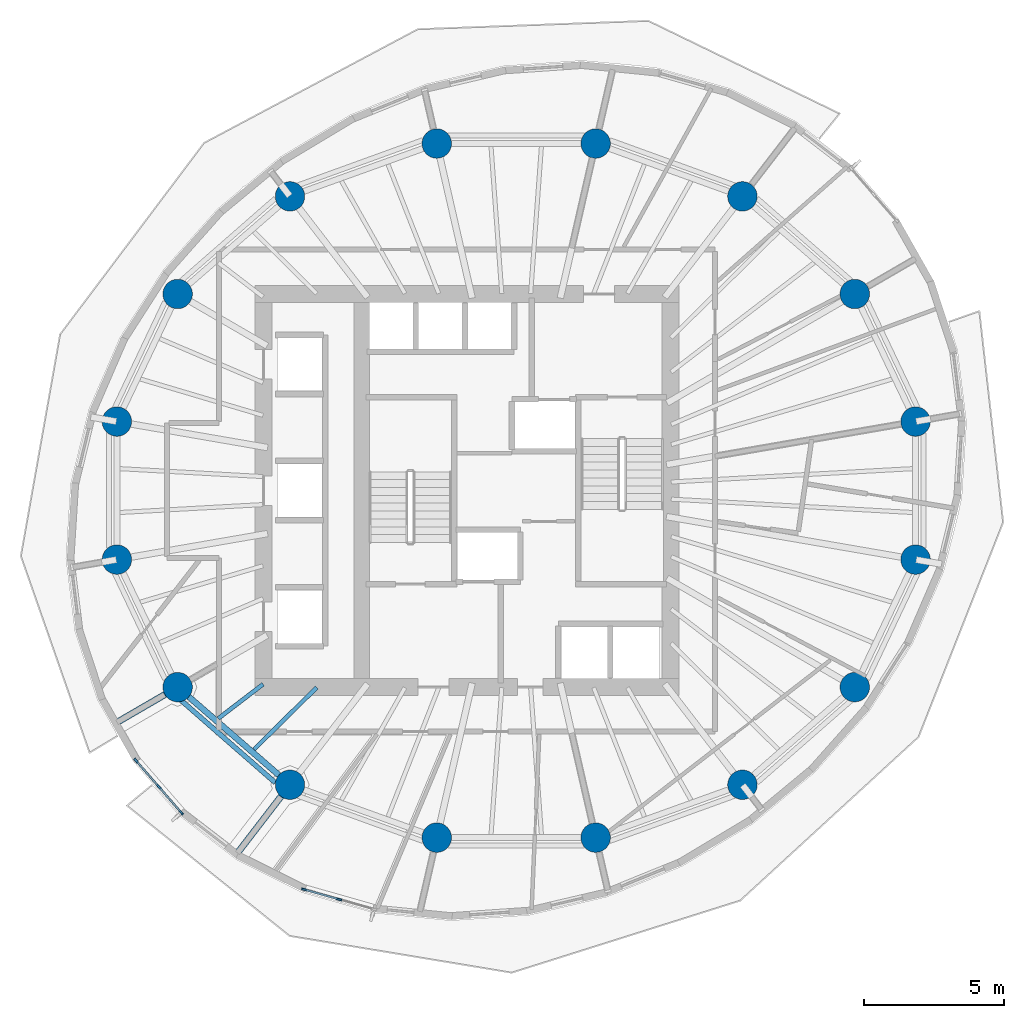
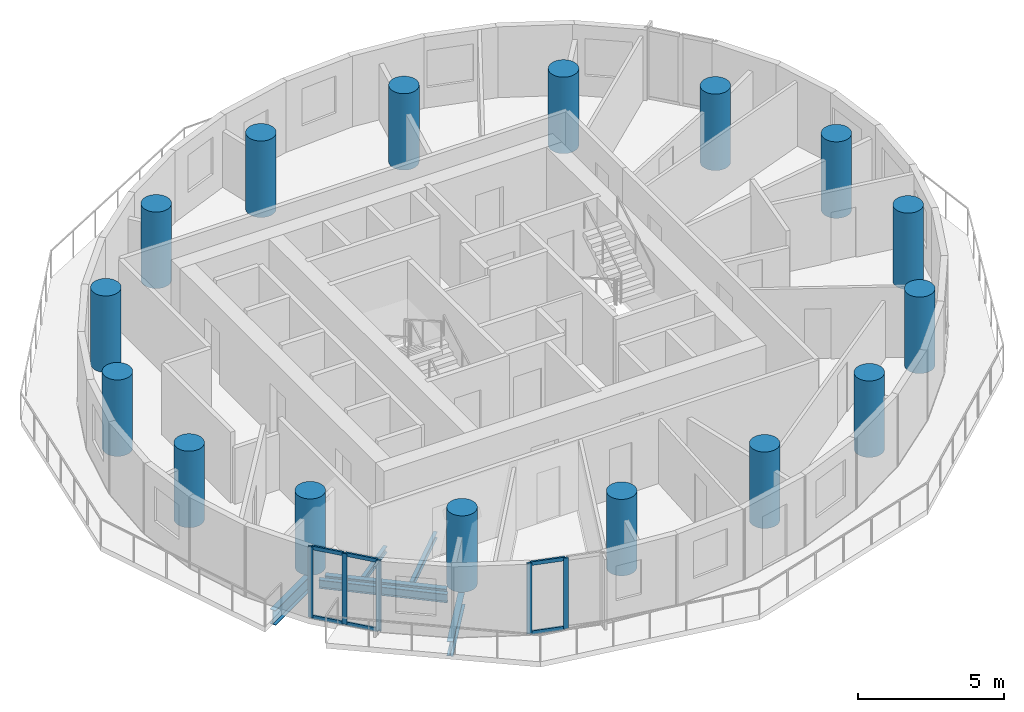
# One storey, part 1 of 12: 16 columns, 11 members, 6 beams, 2 elements without a shape of their own.
"""IFC4 building model written with IfcOpenShell, lengths in metres."""

from ifc_helpers import new_model, si_unit, direction, frame, origin, origin_2d, place, context, subcontext, project, spatial, rectangle, circle, i_section, extrude, material, material_profile, profile_set, type_object, element, aggregate, save


model = new_model("IFC4")

# Units and contexts
model_context = context("Model", 3, precision=1e-05, world=origin(), true_north=direction((0.0, 1.0)))
body_context = subcontext(model_context, "Body", "Model", "MODEL_VIEW")
ifc_project = project(units=[si_unit("LENGTHUNIT", "METRE"), si_unit("AREAUNIT", "SQUARE_METRE"), si_unit("VOLUMEUNIT", "CUBIC_METRE"), si_unit("PLANEANGLEUNIT", "RADIAN"), si_unit("MASSUNIT", "GRAM", prefix="KILO")], contexts=[model_context])

# Site, building, storey
site_placement = place(None, origin())
site = spatial("IfcSite", under=ifc_project, at=site_placement, CompositionType="ELEMENT")
building_placement = place(site_placement, origin())
building = spatial("IfcBuilding", under=site, at=building_placement, Name="Veldorim Arch Residences", CompositionType="ELEMENT")
storey_placement = place(building_placement, frame((0.0, 0.0, 148.9599609375)))
storey = spatial("IfcBuildingStorey", under=building, at=storey_placement, Name="L44", CompositionType="ELEMENT", Elevation=148.9599609375)

# Columns
ifc_material_1 = material(Name="Concrete C50/60", Category="concrete")
ifc_material_profile_1 = material_profile(ifc_material_1, circle(Radius=0.52490234375, at=origin_2d()), Name="RC_CIRC_1050")
ifc_profile_set_1 = profile_set([ifc_material_profile_1], Name="Concrete C50/60")
column_type = type_object("IfcColumnType", Name="Structural Column RC_CIRC_1050", PredefinedType="COLUMN", material=ifc_profile_set_1)
for number, where, z_axis, x_axis, name in (
    (1, (46.221435546875, 26.4580078125, 0.0), (0.0, 0.0, 1.0), (1.0, 0.0, 0.0), "L44 TC-Z3-01 perimeter column"),
    (2, (44.056396484375, 31.000244140625, 0.0), (0.0, 0.0, 1.0), (1.0, 0.0, 0.0), "L44 TC-Z3-02 perimeter column"),
    (3, (40.055908203125, 34.4765625, 0.0), (0.0, 0.0, 1.0), (1.0, 0.0, 0.0), "L44 TC-Z3-03 perimeter column"),
    (4, (34.828857421875, 36.35791015625, 0.0), (0.0, 0.0, 1.0), (1.0, 0.0, 0.0), "L44 TC-Z3-04 perimeter column"),
    (5, (29.171142578125, 36.35791015625, 0.0), (0.0, 0.0, 1.0), (1.0, 0.0, 0.0), "L44 TC-Z3-05 perimeter column"),
    (6, (23.944091796875, 34.4765625, 0.0), (0.0, 0.0, 1.0), (1.0, 0.0, 0.0), "L44 TC-Z3-06 perimeter column"),
    (7, (19.943603515625, 31.000244140625, 0.0), (0.0, 0.0, 1.0), (1.0, 0.0, 0.0), "L44 TC-Z3-07 perimeter column"),
    (8, (17.778564453125, 26.4580078125, 0.0), (0.0, 0.0, 1.0), (1.0, 0.0, 0.0), "L44 TC-Z3-08 perimeter column"),
    (9, (17.778564453125, 21.5419921875, 0.0), (0.0, 0.0, 1.0), (1.0, 0.0, 0.0), "L44 TC-Z3-09 perimeter column"),
    (10, (19.943603515625, 16.999755859375, 0.0), (0.0, 0.0, 1.0), (1.0, 0.0, 0.0), "L44 TC-Z3-10 perimeter column"),
    (11, (23.944091796875, 13.5234375, 0.0), (0.0, 0.0, 1.0), (1.0, 0.0, 0.0), "L44 TC-Z3-11 perimeter column"),
    (12, (29.171142578125, 11.64208984375, 0.0), (0.0, 0.0, 1.0), (1.0, 0.0, 0.0), "L44 TC-Z3-12 perimeter column"),
    (13, (34.828857421875, 11.64208984375, 0.0), (0.0, 0.0, 1.0), (1.0, 0.0, 0.0), "L44 TC-Z3-13 perimeter column"),
    (14, (40.055908203125, 13.5234375, 0.0), (0.0, 0.0, 1.0), (1.0, 0.0, 0.0), "L44 TC-Z3-14 perimeter column"),
    (15, (44.056396484375, 16.999755859375, 0.0), (0.0, 0.0, 1.0), (1.0, 0.0, 0.0), "L44 TC-Z3-15 perimeter column"),
    (16, (46.221435546875, 21.5419921875, 0.0), (0.0, 0.0, 1.0), (1.0, 0.0, 0.0), "L44 TC-Z3-16 perimeter column"),
):
    element("IfcColumn", number, at=place(storey_placement, frame(where, z_axis=z_axis, x_axis=x_axis)), inside=storey, type_object=column_type, Name=name, PredefinedType="COLUMN", context=body_context, shape_type="SweptSolid", body=[
        extrude(circle(Radius=0.52490234375, at=origin_2d()), origin(), (0.0, 0.0, 1.0), 3.199951171875),
    ])

# Beams
ifc_material_2 = material(Name="Steel S355", Category="steel")
ifc_material_profile_2 = material_profile(ifc_material_2, i_section(OverallWidth=0.2099609375, OverallDepth=0.53662109375, WebThickness=0.0107421875, FlangeThickness=0.017333984375, at=origin_2d()), Name="UB533x210x101")
ifc_profile_set_2 = profile_set([ifc_material_profile_2], Name="Steel S355")
beam_type_1 = type_object("IfcBeamType", Name="Structural Steel Beam UB533x210x101", PredefinedType="BEAM", material=ifc_profile_set_2)
beam_1_placement = place(storey_placement, frame((20.340087890625, 16.655517578125, -0.50830078125), z_axis=(0.754810789581, -0.655942582802, 0.0), x_axis=(0.655942582802, 0.754810789581, 0.0)))
element("IfcBeam", 17, at=beam_1_placement, inside=storey, type_object=beam_type_1, Name="L44 perimeter ring tie beam 10", PredefinedType="BEAM", context=body_context, shape_type="SweptSolid", body=[
    extrude(i_section(OverallWidth=0.2099609375, OverallDepth=0.53662109375, WebThickness=0.0107421875, FlangeThickness=0.017333984375, at=origin_2d()), origin(), (0.0, 0.0, 1.0), 4.249755859375),
])
ifc_material_3 = material(Name="Steel S355", Category="steel")
ifc_material_profile_3 = material_profile(ifc_material_3, i_section(OverallWidth=0.22900390625, OverallDepth=0.6123046875, WebThickness=0.011962890625, FlangeThickness=0.01953125, at=origin_2d()), Name="UB610x229x125")
ifc_profile_set_3 = profile_set([ifc_material_profile_3], Name="Steel S355")
beam_type_2 = type_object("IfcBeamType", Name="Structural Steel Beam UB610x229x125", PredefinedType="BEAM", material=ifc_profile_set_3)
beam_2_placement = place(storey_placement, frame((19.926513671875, 16.98974609375, -0.546142578125), z_axis=(-0.864771551205, -0.502165474946, 0.0), x_axis=(0.502165474946, -0.864771551205, 0.0)))
element("IfcBeam", 18, at=beam_2_placement, inside=storey, type_object=beam_type_2, Name="L44 radial edge cantilever girder 10", PredefinedType="BEAM", context=body_context, shape_type="SweptSolid", body=[
    extrude(i_section(OverallWidth=0.22900390625, OverallDepth=0.6123046875, WebThickness=0.011962890625, FlangeThickness=0.01953125, at=origin_2d()), origin(), (0.0, 0.0, 1.0), 2.555908203125),
])
beam_3_placement = place(storey_placement, frame((23.931884765625, 13.507568359375, -0.546142578125), z_axis=(-0.60954833207, -0.792748907833, 0.0), x_axis=(0.792748907833, -0.60954833207, 0.0)))
element("IfcBeam", 19, at=beam_3_placement, inside=storey, type_object=beam_type_2, Name="L44 radial edge cantilever girder 11", PredefinedType="BEAM", context=body_context, shape_type="SweptSolid", body=[
    extrude(i_section(OverallWidth=0.22900390625, OverallDepth=0.6123046875, WebThickness=0.011962890625, FlangeThickness=0.01953125, at=origin_2d()), origin(), (0.0, 0.0, 1.0), 3.123779296875),
])
ifc_material_4 = material(Name="Steel S355", Category="steel")
ifc_material_profile_4 = material_profile(ifc_material_4, i_section(OverallWidth=0.146484375, OverallDepth=0.256103515625, WebThickness=0.00634765625, FlangeThickness=0.010986328125, at=origin_2d()), Name="UB254x146x37")
ifc_profile_set_4 = profile_set([ifc_material_profile_4], Name="Steel S355")
beam_type_3 = type_object("IfcBeamType", Name="Structural Steel Joist UB254x146x37", PredefinedType="JOIST", material=ifc_profile_set_4)
beam_4_placement = place(storey_placement, frame((22.984130859375, 17.10302734375, -0.367919921875), z_axis=(-0.794312925337, -0.607508828448, 0.0), x_axis=(0.607508828448, -0.794312925337, 0.0)))
element("IfcBeam", 20, at=beam_4_placement, inside=storey, type_object=beam_type_3, Name="L44 secondary radial floor joist 10-1", PredefinedType="JOIST", context=body_context, shape_type="SweptSolid", body=[
    extrude(i_section(OverallWidth=0.146484375, OverallDepth=0.256103515625, WebThickness=0.00634765625, FlangeThickness=0.010986328125, at=origin_2d()), origin(), (0.0, 0.0, 1.0), 2.006103515625),
])
beam_5_placement = place(storey_placement, frame((24.894287109375, 16.986083984375, -0.367919921875), z_axis=(-0.711683379532, -0.702500368183, 0.0), x_axis=(0.702500368183, -0.711683379532, 0.0)))
element("IfcBeam", 21, at=beam_5_placement, inside=storey, type_object=beam_type_3, Name="L44 secondary radial floor joist 10-2", PredefinedType="JOIST", context=body_context, shape_type="SweptSolid", body=[
    extrude(i_section(OverallWidth=0.146484375, OverallDepth=0.256103515625, WebThickness=0.00634765625, FlangeThickness=0.010986328125, at=origin_2d()), origin(), (0.0, 0.0, 1.0), 3.13720703125),
])
ifc_material_5 = material(Name="Steel S355", Category="steel")
ifc_material_profile_5 = material_profile(ifc_material_5, i_section(OverallWidth=0.172119140625, OverallDepth=0.35791015625, WebThickness=0.008056640625, FlangeThickness=0.012939453125, at=origin_2d()), Name="UB356x171x57")
ifc_profile_set_5 = profile_set([ifc_material_profile_5], Name="Steel S355")
beam_type_4 = type_object("IfcBeamType", Name="Structural Steel Spandrel UB356x171x57", PredefinedType="SPANDREL", material=ifc_profile_set_5)
beam_6_placement = place(storey_placement, frame((20.0419921875, 16.55078125, -0.43896484375), z_axis=(0.753014748982, -0.658003638148, 0.0), x_axis=(0.658003638148, 0.753014748982, 0.0)))
element("IfcBeam", 22, at=beam_6_placement, inside=storey, type_object=beam_type_4, Name="L44 perimeter chord spandrel beam 10", PredefinedType="SPANDREL", context=body_context, shape_type="SweptSolid", body=[
    extrude(i_section(OverallWidth=0.172119140625, OverallDepth=0.35791015625, WebThickness=0.008056640625, FlangeThickness=0.012939453125, at=origin_2d()), origin(), (0.0, 0.0, 1.0), 4.486572265625),
])

# Curtain wall, members
ifc_material_6 = material(Name="Aluminium", Category="aluminium")
curtain_wall_type = type_object("IfcCurtainWallType", Name="Zone 3 High-Wind Unitised Curtain Wall", PredefinedType="NOTDEFINED", material=ifc_material_6)
curtain_wall_1_placement = place(storey_placement, origin())
curtain_wall_1 = element("IfcCurtainWall", 23, at=curtain_wall_1_placement, inside=storey, type_object=curtain_wall_type, Name="L44 unitised curtain wall bay 19", PredefinedType="NOTDEFINED")
ifc_material_7 = material(Name="Aluminium", Category="aluminium")
ifc_material_profile_6 = material_profile(ifc_material_7, rectangle(XDim=0.070068359375, YDim=0.179931640625, at=origin_2d()), Name="ALU_MUL_70x180")
ifc_profile_set_6 = profile_set([ifc_material_profile_6], Name="Aluminium")
member_type_1 = type_object("IfcMemberType", Name="Zone 3 High-Wind Unitised Curtain Wall Mullion 70x180", PredefinedType="MULLION", material=ifc_profile_set_6)
member_1_placement = place(storey_placement, frame((20.075439453125, 12.5283203125, 0.0), z_axis=(0.0, 0.0, 1.0), x_axis=(-0.754399890607, -0.65641511641, 0.0)))
member_1 = element("IfcMember", 24, at=member_1_placement, type_object=member_type_1, Name="CW-Z3 mullion 1", PredefinedType="MULLION", context=body_context, shape_type="SweptSolid", body=[
    extrude(rectangle(XDim=0.070068359375, YDim=0.179931640625, at=origin_2d()), origin(), (0.0, 0.0, 1.0), 2.9599609375),
])
member_2_placement = place(storey_placement, frame((19.2666015625, 13.457763671875, 0.0), z_axis=(0.0, 0.0, 1.0), x_axis=(-0.754399890607, -0.65641511641, 0.0)))
member_2 = element("IfcMember", 25, at=member_2_placement, type_object=member_type_1, Name="CW-Z3 mullion 2", PredefinedType="MULLION", context=body_context, shape_type="SweptSolid", body=[
    extrude(rectangle(XDim=0.070068359375, YDim=0.179931640625, at=origin_2d()), origin(), (0.0, 0.0, 1.0), 2.9599609375),
])
member_3_placement = place(storey_placement, frame((18.4580078125, 14.38720703125, 0.0), z_axis=(0.0, 0.0, 1.0), x_axis=(-0.754399890607, -0.65641511641, 0.0)))
member_3 = element("IfcMember", 26, at=member_3_placement, type_object=member_type_1, Name="CW-Z3 mullion 3", PredefinedType="MULLION", context=body_context, shape_type="SweptSolid", body=[
    extrude(rectangle(XDim=0.070068359375, YDim=0.179931640625, at=origin_2d()), origin(), (0.0, 0.0, 1.0), 2.9599609375),
])

curtain_wall_2_placement = place(storey_placement, origin())
curtain_wall_2 = element("IfcCurtainWall", 27, at=curtain_wall_2_placement, inside=storey, type_object=curtain_wall_type, Name="L44 unitised curtain wall bay 22", PredefinedType="NOTDEFINED")
member_4_placement = place(storey_placement, frame((25.691650390625, 9.442626953125, 0.0), z_axis=(0.0, 0.0, 1.0), x_axis=(-0.273550022991, -0.961857777908, 0.0)))
member_4 = element("IfcMember", 28, at=member_4_placement, type_object=member_type_1, Name="CW-Z3 mullion 2", PredefinedType="MULLION", context=body_context, shape_type="SweptSolid", body=[
    extrude(rectangle(XDim=0.070068359375, YDim=0.179931640625, at=origin_2d()), origin(), (0.0, 0.0, 1.0), 2.9599609375),
])
member_5_placement = place(storey_placement, frame((24.445068359375, 9.797119140625, 0.0), z_axis=(0.0, 0.0, 1.0), x_axis=(-0.273550022991, -0.961857777908, 0.0)))
member_5 = element("IfcMember", 29, at=member_5_placement, type_object=member_type_1, Name="CW-Z3 mullion 3", PredefinedType="MULLION", context=body_context, shape_type="SweptSolid", body=[
    extrude(rectangle(XDim=0.070068359375, YDim=0.179931640625, at=origin_2d()), origin(), (0.0, 0.0, 1.0), 2.9599609375),
])

# Member
ifc_material_8 = material(Name="Aluminium", Category="aluminium")
ifc_material_profile_7 = material_profile(ifc_material_8, rectangle(XDim=0.070068359375, YDim=0.155029296875, at=origin_2d()), Name="ALU_TRN_70x155")
ifc_profile_set_7 = profile_set([ifc_material_profile_7], Name="Aluminium")
member_type_2 = type_object("IfcMemberType", Name="Zone 3 High-Wind Unitised Curtain Wall Transom 70x155", PredefinedType="USERDEFINED", material=ifc_profile_set_7)
member_6_placement = place(storey_placement, frame((20.052490234375, 12.5546875, 0.03515625), z_axis=(-0.656345148791, 0.754460764824, 0.0), x_axis=(-0.754460764824, -0.656345148791, 0.0)))
member_6 = element("IfcMember", 30, at=member_6_placement, type_object=member_type_2, Name="CW-Z3 transom 1.1", ObjectType="TRANSOM", PredefinedType="USERDEFINED", context=body_context, shape_type="SweptSolid", body=[
    extrude(rectangle(XDim=0.070068359375, YDim=0.155029296875, at=origin_2d()), origin(), (0.0, 0.0, 1.0), 1.162109375),
])

member_7_placement = place(storey_placement, frame((20.052490234375, 12.5546875, 2.925048828125), z_axis=(-0.656345148791, 0.754460764824, 0.0), x_axis=(-0.754460764824, -0.656345148791, 0.0)))
member_7 = element("IfcMember", 31, at=member_7_placement, type_object=member_type_2, Name="CW-Z3 transom 1.2", ObjectType="TRANSOM", PredefinedType="USERDEFINED", context=body_context, shape_type="SweptSolid", body=[
    extrude(rectangle(XDim=0.070068359375, YDim=0.155029296875, at=origin_2d()), origin(), (0.0, 0.0, 1.0), 1.162109375),
])

member_8_placement = place(storey_placement, frame((19.24365234375, 13.484130859375, 0.03515625), z_axis=(-0.656345148791, 0.754460764824, 0.0), x_axis=(-0.754460764824, -0.656345148791, 0.0)))
member_8 = element("IfcMember", 32, at=member_8_placement, type_object=member_type_2, Name="CW-Z3 transom 2.1", ObjectType="TRANSOM", PredefinedType="USERDEFINED", context=body_context, shape_type="SweptSolid", body=[
    extrude(rectangle(XDim=0.070068359375, YDim=0.155029296875, at=origin_2d()), origin(), (0.0, 0.0, 1.0), 1.162109375),
])

member_9_placement = place(storey_placement, frame((19.24365234375, 13.484130859375, 2.925048828125), z_axis=(-0.656345148791, 0.754460764824, 0.0), x_axis=(-0.754460764824, -0.656345148791, 0.0)))
member_9 = element("IfcMember", 33, at=member_9_placement, type_object=member_type_2, Name="CW-Z3 transom 2.2", ObjectType="TRANSOM", PredefinedType="USERDEFINED", context=body_context, shape_type="SweptSolid", body=[
    extrude(rectangle(XDim=0.070068359375, YDim=0.155029296875, at=origin_2d()), origin(), (0.0, 0.0, 1.0), 1.162109375),
])

aggregate(curtain_wall_1, [member_1, member_2, member_3, member_6, member_7, member_8, member_9])

member_10_placement = place(storey_placement, frame((25.657958984375, 9.452392578125, 0.03515625), z_axis=(-0.961891322265, 0.273432046681, 0.0), x_axis=(-0.273432046681, -0.961891322265, 0.0)))
member_10 = element("IfcMember", 34, at=member_10_placement, type_object=member_type_2, Name="CW-Z3 transom 2.1", ObjectType="TRANSOM", PredefinedType="USERDEFINED", context=body_context, shape_type="SweptSolid", body=[
    extrude(rectangle(XDim=0.070068359375, YDim=0.155029296875, at=origin_2d()), origin(), (0.0, 0.0, 1.0), 1.225830078125),
])

member_11_placement = place(storey_placement, frame((25.657958984375, 9.452392578125, 2.925048828125), z_axis=(-0.961891322265, 0.273432046681, 0.0), x_axis=(-0.273432046681, -0.961891322265, 0.0)))
member_11 = element("IfcMember", 35, at=member_11_placement, type_object=member_type_2, Name="CW-Z3 transom 2.2", ObjectType="TRANSOM", PredefinedType="USERDEFINED", context=body_context, shape_type="SweptSolid", body=[
    extrude(rectangle(XDim=0.070068359375, YDim=0.155029296875, at=origin_2d()), origin(), (0.0, 0.0, 1.0), 1.225830078125),
])

aggregate(curtain_wall_2, [member_4, member_5, member_10, member_11])

save(model, "model.ifc")
